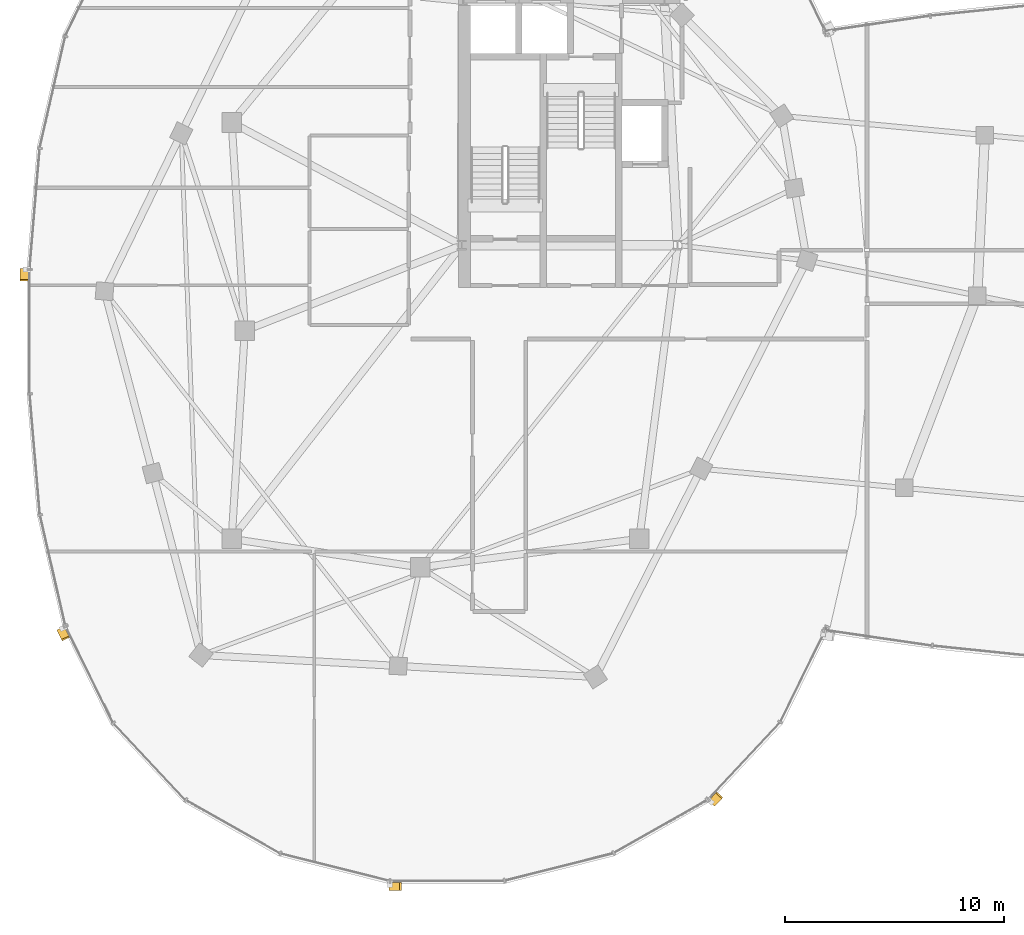
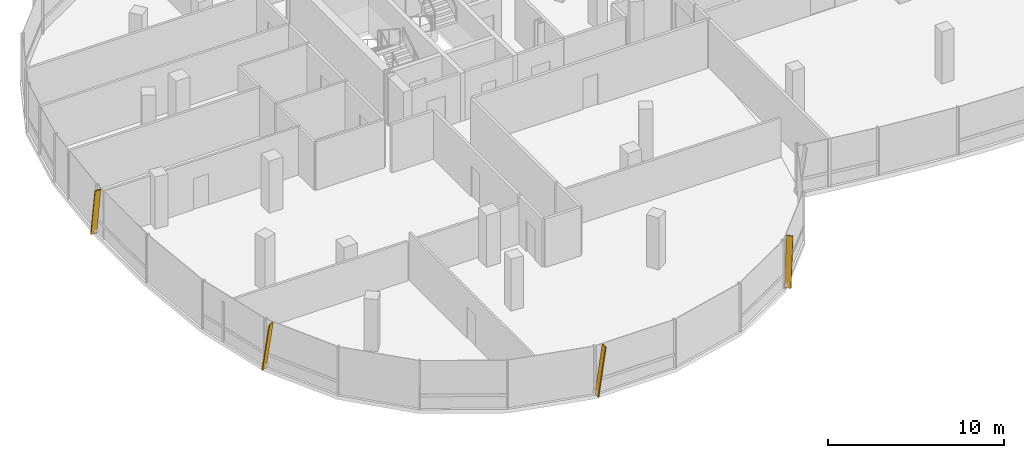
# One storey, part 20 of 25: 4 shading devices.
"""IFC4 building model written with IfcOpenShell, lengths in metres."""

from ifc_helpers import new_model, si_unit, direction, frame, origin, origin_2d, place, context, subcontext, project, spatial, rectangle, extrude, material, material_profile, profile_set, type_object, element, save


model = new_model("IFC4")

# Units and contexts
model_context = context("Model", 3, precision=1e-05, world=origin(), true_north=direction((0.0, 1.0)))
body_context = subcontext(model_context, "Body", "Model", "MODEL_VIEW")
ifc_project = project(units=[si_unit("LENGTHUNIT", "METRE"), si_unit("AREAUNIT", "SQUARE_METRE"), si_unit("VOLUMEUNIT", "CUBIC_METRE"), si_unit("PLANEANGLEUNIT", "RADIAN"), si_unit("MASSUNIT", "GRAM", prefix="KILO"), si_unit("THERMODYNAMICTEMPERATUREUNIT", "KELVIN"), si_unit("POWERUNIT", "WATT")], contexts=[model_context])

# Site, building, storey
site_placement = place(None, origin())
site = spatial("IfcSite", under=ifc_project, at=site_placement, CompositionType="ELEMENT")
building_placement = place(site_placement, origin())
building = spatial("IfcBuilding", under=site, at=building_placement, Name="Cundina Bronze Exchange", CompositionType="ELEMENT")
storey_placement = place(building_placement, frame((0.0, 0.0, 254.0)))
storey = spatial("IfcBuildingStorey", under=building, at=storey_placement, Name="L67", CompositionType="ELEMENT", Elevation=254.0)

# Shading devices
ifc_material = material(Name="Anodised Bronze Aluminium 6063-T6", Category="aluminium")
ifc_material_profile = material_profile(ifc_material, rectangle(XDim=0.070068359375, YDim=0.3798828125, at=origin_2d()), Name="FIN70X380", Category="aluminium")
ifc_profile_set = profile_set([ifc_material_profile], Name="Anodised Bronze Aluminium 6063-T6")
shading_device_type = type_object("IfcShadingDeviceType", Name="SHD-FIN-BRZ380", PredefinedType="USERDEFINED", material=ifc_profile_set)
for number, where, z_axis, x_axis, name in (
    (1, (-51.26904296875, 2.79150390625, 0.02001953125), (0.0, -0.143932024572, 0.989587576874), (0.0, 0.989587576874, 0.143932024572), "L67 Diagonal Bronze Solar Fin 5"),
    (2, (-49.593505859375, -13.614013671875, 0.02001953125), (0.063400368732, -0.129216686851, 0.989587510574), (-0.435900311632, 0.888411143223, 0.143932480407), "L67 Diagonal Bronze Solar Fin 1"),
    (3, (-34.576416015625, -25.360107421875, 0.02001953125), (0.143932024572, 0.0, 0.989587576874), (-0.989587576874, 0.0, 0.143932024572), "L67 Diagonal Bronze Solar Fin 5"),
    (4, (-19.877685546875, -21.55078125, 0.02001953125), (0.098541444371, 0.10491076507, 0.989587446926), (-0.677505727677, -0.721296959704, 0.143932918008), "L67 Diagonal Bronze Solar Fin 1"),
):
    element("IfcShadingDevice", number, at=place(storey_placement, frame(where, z_axis=z_axis, x_axis=x_axis)), inside=storey, type_object=shading_device_type, Name=name, ObjectType="FIN", PredefinedType="USERDEFINED", context=body_context, shape_type="SweptSolid", body=[
        extrude(rectangle(XDim=0.070068359375, YDim=0.3798828125, at=origin_2d()), origin(), (0.0, 0.0, 1.0), 3.334716796875),
    ])

save(model, "model.ifc")
